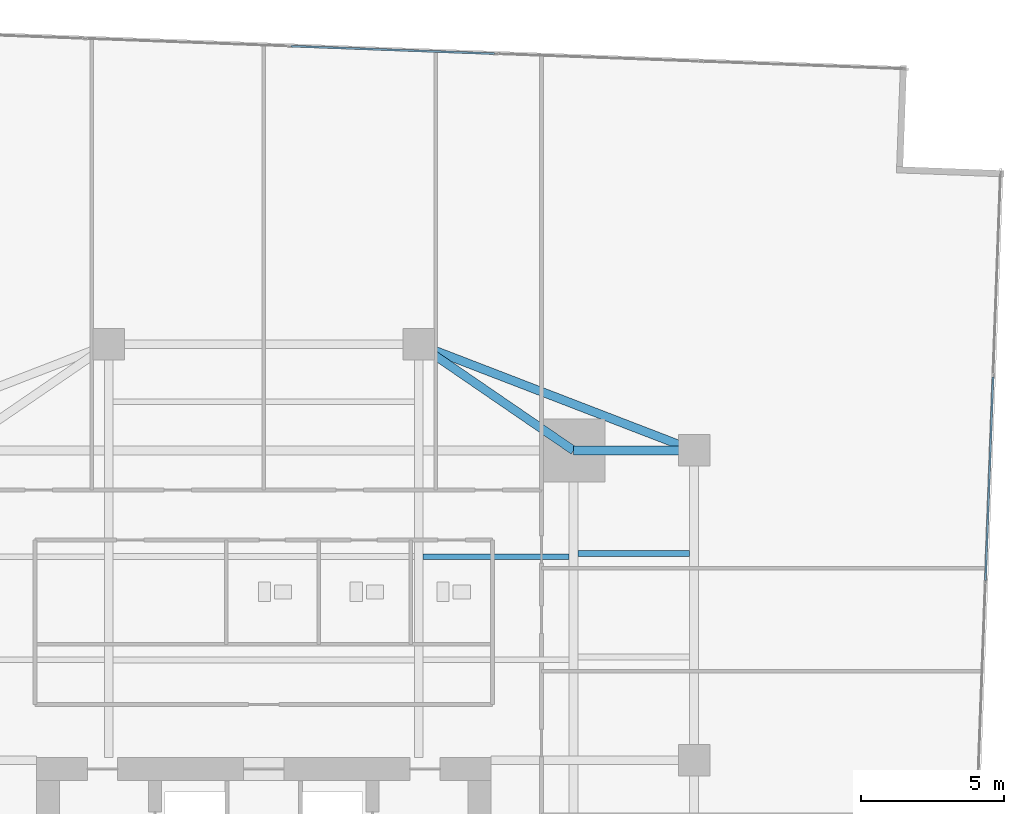
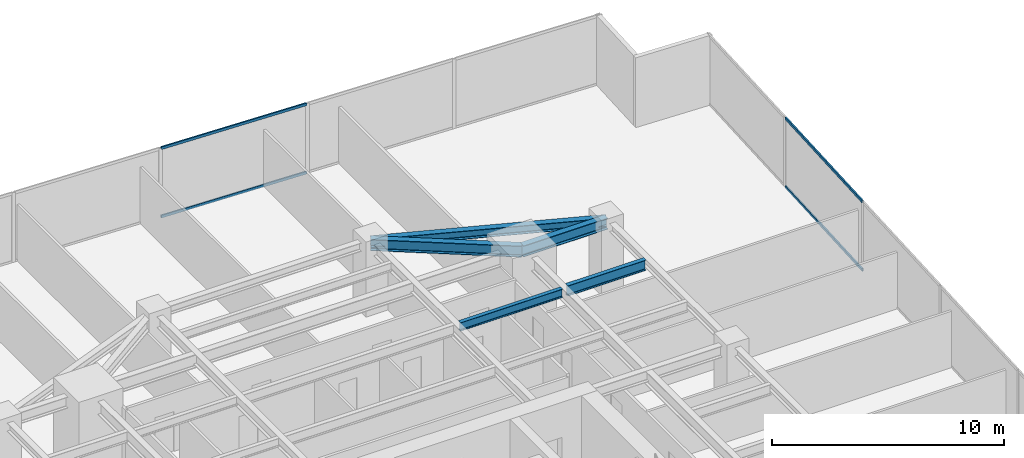
# One storey, part 23 of 30: 5 beams, 4 members, 2 elements without a shape of their own.
"""IFC4 building model written with IfcOpenShell, lengths in metres."""

from ifc_helpers import new_model, si_unit, direction, frame, origin, origin_2d, place, context, subcontext, project, spatial, hollow_rectangle, i_section, extrude, source, transform, mapped, material, material_profile, profile_set, type_object, type_shapes, element, aggregate, save


model = new_model("IFC4")

# Units and contexts
model_context = context("Model", 3, precision=1e-05, world=origin(), true_north=direction((0.0, 1.0)))
body_context = subcontext(model_context, "Body", "Model", "MODEL_VIEW")
ifc_project = project(units=[si_unit("LENGTHUNIT", "METRE"), si_unit("AREAUNIT", "SQUARE_METRE"), si_unit("VOLUMEUNIT", "CUBIC_METRE"), si_unit("PLANEANGLEUNIT", "RADIAN"), si_unit("MASSUNIT", "GRAM", prefix="KILO")], contexts=[model_context])

# Site, building, storey
site_placement = place(None, origin())
site = spatial("IfcSite", under=ifc_project, at=site_placement, CompositionType="ELEMENT")
building_placement = place(site_placement, origin())
building = spatial("IfcBuilding", under=site, at=building_placement, Name="Krantzveldt Concourse Tower", CompositionType="ELEMENT")
storey_placement = place(building_placement, frame((0.0, 0.0, 36.85009765625)))
storey = spatial("IfcBuildingStorey", under=building, at=storey_placement, Name="L08", CompositionType="ELEMENT", Elevation=36.85009765625)

# Beams
ifc_material_1 = material(Name="Steel S355JR", Category="steel")
ifc_material_profile_1 = material_profile(ifc_material_1, i_section(OverallWidth=0.300048828125, OverallDepth=0.43994140625, WebThickness=0.011474609375, FlangeThickness=0.02099609375, FilletRadius=0.027099609375, at=origin_2d()), Name="Steel S355JR", Category="steel")
ifc_profile_set_1 = profile_set([ifc_material_profile_1], Name="Steel S355JR - HEA 450")
beam_type_1 = type_object("IfcBeamType", Name="BM-SP-HEA450", PredefinedType="SPANDREL", material=ifc_profile_set_1)
shared_shape_1 = source(origin(), body_context, "Body", "SweptSolid", [
    extrude(i_section(OverallWidth=0.300048828125, OverallDepth=0.43994140625, WebThickness=0.011474609375, FlangeThickness=0.02099609375, FilletRadius=0.027099609375, at=origin_2d()), origin(), (0.0, 0.0, 1.0), 10.288330078125),
])
type_shapes(beam_type_1, [shared_shape_1])
beam_1_placement = place(storey_placement, frame((41.39990234375, 41.199951171875, 3.449951171875), z_axis=(0.933097690408, -0.359622997257, 0.0), x_axis=(0.359622997257, 0.933097690408, 0.0)))
element("IfcBeam", 1, at=beam_1_placement, inside=storey, type_object=beam_type_1, Name="L08 Tower Girder SP-R05", PredefinedType="SPANDREL", context=body_context, shape_type="MappedRepresentation", body=[
    mapped(shared_shape_1, transform((0.0, 0.0, 0.0), x_axis=(1.0, 0.0, 0.0), y_axis=(0.0, 1.0, 0.0), z_axis=(0.0, 0.0, 1.0), scale=1.0)),
])
ifc_material_profile_2 = material_profile(ifc_material_1, i_section(OverallWidth=0.300048828125, OverallDepth=0.590087890625, WebThickness=0.012939453125, FlangeThickness=0.02490234375, FilletRadius=0.027099609375, at=origin_2d()), Name="Steel S355JR", Category="steel")
ifc_profile_set_2 = profile_set([ifc_material_profile_2], Name="Steel S355JR - HEA 600")
beam_type_2 = type_object("IfcBeamType", Name="BM-B-HEA600", PredefinedType="BEAM", material=ifc_profile_set_2)
shared_shape_2 = source(origin(), body_context, "Body", "SweptSolid", [
    extrude(i_section(OverallWidth=0.300048828125, OverallDepth=0.590087890625, WebThickness=0.012939453125, FlangeThickness=0.02490234375, FilletRadius=0.027099609375, at=origin_2d()), origin(), (0.0, 0.0, 1.0), 4.199951171875),
])
beam_2_placement = place(storey_placement, frame((46.800048828125, 37.5, 3.375), z_axis=(1.0, 0.0, 0.0), x_axis=(0.0, 1.0, 0.0)))
element("IfcBeam", 2, at=beam_2_placement, inside=storey, type_object=beam_type_2, Name="L08 Tower Girder BR-RR3", PredefinedType="BEAM", context=body_context, shape_type="MappedRepresentation", body=[
    mapped(shared_shape_2, transform((0.0, 0.0, 0.0), x_axis=(1.0, 0.0, 0.0), y_axis=(0.0, 1.0, 0.0), z_axis=(0.0, 0.0, 1.0), scale=1.0)),
])
shared_shape_3 = source(origin(), body_context, "Body", "SweptSolid", [
    extrude(i_section(OverallWidth=0.300048828125, OverallDepth=0.590087890625, WebThickness=0.012939453125, FlangeThickness=0.02490234375, FilletRadius=0.027099609375, at=origin_2d()), origin(), (0.0, 0.0, 1.0), 6.546142578125),
])
type_shapes(beam_type_2, [shared_shape_2, shared_shape_3])
beam_3_placement = place(storey_placement, frame((46.800048828125, 37.5, 3.375), z_axis=(-0.824942999484, 0.565215930068, 0.0), x_axis=(-0.565215930068, -0.824942999484, 0.0)))
element("IfcBeam", 3, at=beam_3_placement, inside=storey, type_object=beam_type_2, Name="L08 Tower Girder BR-RR4", PredefinedType="BEAM", context=body_context, shape_type="MappedRepresentation", body=[
    mapped(shared_shape_3, transform((0.0, 0.0, 0.0), x_axis=(1.0, 0.0, 0.0), y_axis=(0.0, 1.0, 0.0), z_axis=(0.0, 0.0, 1.0), scale=1.0)),
])
ifc_material_profile_3 = material_profile(ifc_material_1, i_section(OverallWidth=0.18994140625, OverallDepth=0.449951171875, WebThickness=0.009521484375, FlangeThickness=0.0146484375, FilletRadius=0.02099609375, at=origin_2d()), Name="Steel S355JR", Category="steel")
ifc_profile_set_3 = profile_set([ifc_material_profile_3], Name="Steel S355JR - IPE 450")
beam_type_3 = type_object("IfcBeamType", Name="BM-J-IPE450", PredefinedType="JOIST", material=ifc_profile_set_3)
shared_shape_4 = source(origin(), body_context, "Body", "SweptSolid", [
    extrude(i_section(OverallWidth=0.18994140625, OverallDepth=0.449951171875, WebThickness=0.009521484375, FlangeThickness=0.0146484375, FilletRadius=0.02099609375, at=origin_2d()), origin(), (0.0, 0.0, 1.0), 5.099853515625),
])
type_shapes(beam_type_3, [shared_shape_4])
beam_4_placement = place(storey_placement, frame((41.550048828125, 33.800048828125, 3.44482421875), z_axis=(1.0, 0.0, 0.0), x_axis=(0.0, 1.0, 0.0)))
element("IfcBeam", 4, at=beam_4_placement, inside=storey, type_object=beam_type_3, Name="L08 Secondary Floor Joist JN-E2", PredefinedType="JOIST", context=body_context, shape_type="MappedRepresentation", body=[
    mapped(shared_shape_4, transform((0.0, 0.0, 0.0), x_axis=(1.0, 0.0, 0.0), y_axis=(0.0, 1.0, 0.0), z_axis=(0.0, 0.0, 1.0), scale=1.0)),
])
ifc_material_profile_4 = material_profile(ifc_material_1, i_section(OverallWidth=0.2099609375, OverallDepth=0.550048828125, WebThickness=0.010986328125, FlangeThickness=0.01708984375, FilletRadius=0.02392578125, at=origin_2d()), Name="Steel S355JR", Category="steel")
ifc_profile_set_4 = profile_set([ifc_material_profile_4], Name="Steel S355JR - IPE 550")
beam_type_4 = type_object("IfcBeamType", Name="BM-J-IPE550", PredefinedType="JOIST", material=ifc_profile_set_4)
shared_shape_5 = source(origin(), body_context, "Body", "SweptSolid", [
    extrude(i_section(OverallWidth=0.2099609375, OverallDepth=0.550048828125, WebThickness=0.010986328125, FlangeThickness=0.01708984375, FilletRadius=0.02392578125, at=origin_2d()), origin(), (0.0, 0.0, 1.0), 3.900146484375),
])
type_shapes(beam_type_4, [shared_shape_5])
beam_5_placement = place(storey_placement, frame((46.949951171875, 33.89990234375, 3.39501953125), z_axis=(1.0, 0.0, 0.0), x_axis=(0.0, 1.0, 0.0)))
element("IfcBeam", 5, at=beam_5_placement, inside=storey, type_object=beam_type_4, Name="L08 Secondary Floor Joist JE-4", PredefinedType="JOIST", context=body_context, shape_type="MappedRepresentation", body=[
    mapped(shared_shape_5, transform((0.0, 0.0, 0.0), x_axis=(1.0, 0.0, 0.0), y_axis=(0.0, 1.0, 0.0), z_axis=(0.0, 0.0, 1.0), scale=1.0)),
])

# Curtain wall, members
ifc_material_2 = material(Name="Anodised aluminium 6063-T6", Category="aluminium")
curtain_wall_type = type_object("IfcCurtainWallType", Name="CW2", PredefinedType="USERDEFINED", material=ifc_material_2)
curtain_wall_1_placement = place(storey_placement, origin())
curtain_wall_1 = element("IfcCurtainWall", 6, at=curtain_wall_1_placement, inside=storey, type_object=curtain_wall_type, Name="CW-L08-F07", ObjectType="UNITISED CURTAIN WALL", PredefinedType="USERDEFINED")
ifc_material_profile_5 = material_profile(ifc_material_2, hollow_rectangle(XDim=0.070068359375, YDim=0.139892578125, WallThickness=0.0048828125, at=origin_2d()), Name="Anodised aluminium 6063-T6", Category="aluminium")
ifc_profile_set_5 = profile_set([ifc_material_profile_5], Name="Anodised aluminium 6063-T6 - ALU-TRAN 140x70x5")
member_type = type_object("IfcMemberType", Name="CW-TRN-150", PredefinedType="USERDEFINED", material=ifc_profile_set_5)
shared_shape_6 = source(origin(), body_context, "Body", "SweptSolid", [
    extrude(hollow_rectangle(XDim=0.070068359375, YDim=0.139892578125, WallThickness=0.0048828125, at=origin_2d()), origin(), (0.0, 0.0, 1.0), 7.0966796875),
])
type_shapes(member_type, [shared_shape_6])
member_1_placement = place(storey_placement, frame((61.159912109375, 32.97314453125, 0.034912109375), z_axis=(0.037085459975, 0.999312097724, 0.0), x_axis=(-0.999312097724, 0.037085459975, 0.0)))
member_1 = element("IfcMember", 7, at=member_1_placement, type_object=member_type, Name="CW-Z12 transom 5.1", ObjectType="TRANSOM", PredefinedType="USERDEFINED", context=body_context, shape_type="MappedRepresentation", body=[
    mapped(shared_shape_6, transform((0.0, 0.0, 0.0), x_axis=(1.0, 0.0, 0.0), y_axis=(0.0, 1.0, 0.0), z_axis=(0.0, 0.0, 1.0), scale=1.0)),
])
member_2_placement = place(storey_placement, frame((61.159912109375, 32.97314453125, 3.635009765625), z_axis=(0.037085459975, 0.999312097724, 0.0), x_axis=(-0.999312097724, 0.037085459975, 0.0)))
member_2 = element("IfcMember", 8, at=member_2_placement, type_object=member_type, Name="CW-Z12 transom 5.2", ObjectType="TRANSOM", PredefinedType="USERDEFINED", context=body_context, shape_type="MappedRepresentation", body=[
    mapped(shared_shape_6, transform((0.0, 0.0, 0.0), x_axis=(1.0, 0.0, 0.0), y_axis=(0.0, 1.0, 0.0), z_axis=(0.0, 0.0, 1.0), scale=1.0)),
])
aggregate(curtain_wall_1, [member_1, member_2])

curtain_wall_2_placement = place(storey_placement, origin())
curtain_wall_2 = element("IfcCurtainWall", 9, at=curtain_wall_2_placement, inside=storey, type_object=curtain_wall_type, Name="CW-L08-F10", ObjectType="UNITISED CURTAIN WALL", PredefinedType="USERDEFINED")
member_3_placement = place(storey_placement, frame((44.050537109375, 51.328369140625, 0.034912109375), z_axis=(-0.999312097724, 0.037085459975, 0.0), x_axis=(-0.037085459975, -0.999312097724, 0.0)))
member_3 = element("IfcMember", 10, at=member_3_placement, type_object=member_type, Name="CW-Z12 transom 3.1", ObjectType="TRANSOM", PredefinedType="USERDEFINED", context=body_context, shape_type="MappedRepresentation", body=[
    mapped(shared_shape_6, transform((0.0, 0.0, 0.0), x_axis=(1.0, 0.0, 0.0), y_axis=(0.0, 1.0, 0.0), z_axis=(0.0, 0.0, 1.0), scale=1.0)),
])
member_4_placement = place(storey_placement, frame((44.050537109375, 51.328369140625, 3.635009765625), z_axis=(-0.999312097724, 0.037085459975, 0.0), x_axis=(-0.037085459975, -0.999312097724, 0.0)))
member_4 = element("IfcMember", 11, at=member_4_placement, type_object=member_type, Name="CW-Z12 transom 3.2", ObjectType="TRANSOM", PredefinedType="USERDEFINED", context=body_context, shape_type="MappedRepresentation", body=[
    mapped(shared_shape_6, transform((0.0, 0.0, 0.0), x_axis=(1.0, 0.0, 0.0), y_axis=(0.0, 1.0, 0.0), z_axis=(0.0, 0.0, 1.0), scale=1.0)),
])
aggregate(curtain_wall_2, [member_3, member_4])

save(model, "model.ifc")
